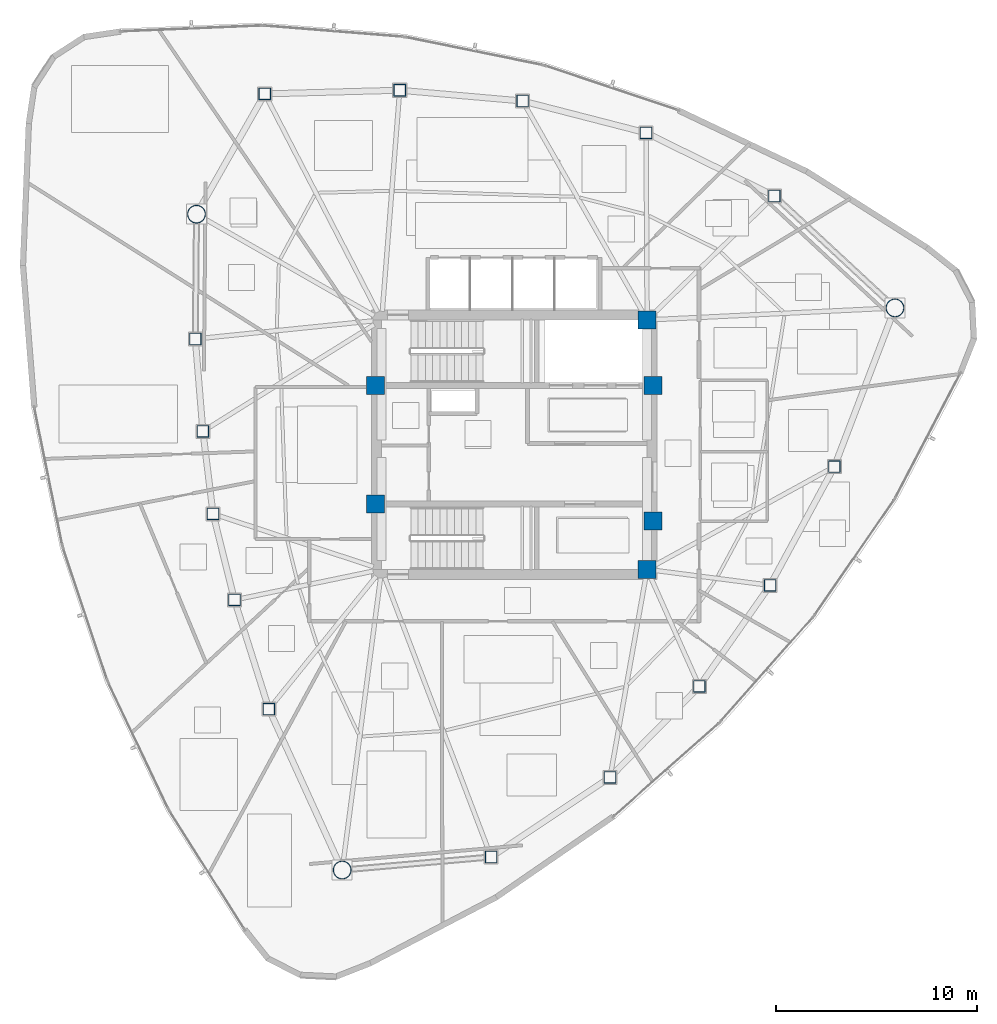
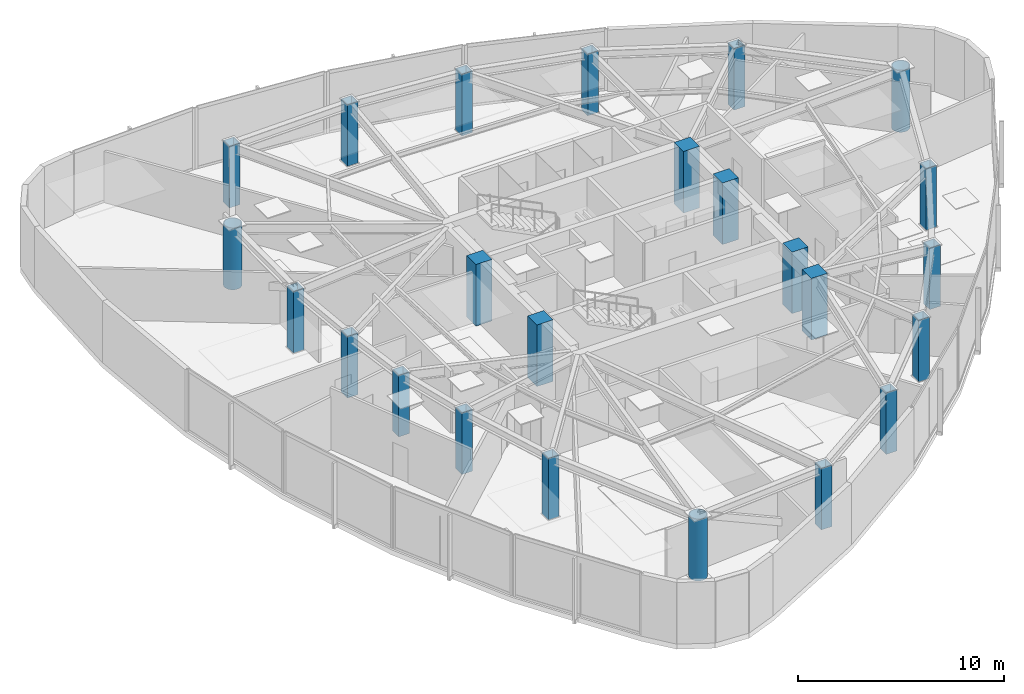
# One storey, part 1 of 15: 24 columns.
"""IFC4 building model written with IfcOpenShell, lengths in metres."""

from ifc_helpers import new_model, si_unit, direction, frame, origin, origin_2d, place, context, subcontext, project, spatial, rectangle, hollow_rectangle, hollow_circle, extrude, material, material_profile, profile_set, type_object, element, save


model = new_model("IFC4")

# Units and contexts
model_context = context("Model", 3, precision=1e-05, world=origin(), true_north=direction((0.0, 1.0)))
body_context = subcontext(model_context, "Body", "Model", "MODEL_VIEW")
ifc_project = project(units=[si_unit("LENGTHUNIT", "METRE"), si_unit("AREAUNIT", "SQUARE_METRE"), si_unit("VOLUMEUNIT", "CUBIC_METRE"), si_unit("PLANEANGLEUNIT", "RADIAN"), si_unit("MASSUNIT", "GRAM", prefix="KILO")], contexts=[model_context])

# Site, building, storey
site_placement = place(None, origin())
site = spatial("IfcSite", under=ifc_project, at=site_placement, CompositionType="ELEMENT")
building_placement = place(site_placement, origin())
building = spatial("IfcBuilding", under=site, at=building_placement, Name="Tavelor Broadcast Tower", CompositionType="ELEMENT")
storey_placement = place(building_placement, frame((0.0, 0.0, 230.050048828125)))
storey = spatial("IfcBuildingStorey", under=building, at=storey_placement, Name="L54", CompositionType="ELEMENT", Elevation=230.050048828125)

# Columns
ifc_material_1 = material(Name="Concrete C50/60", Category="concrete")
ifc_material_profile_1 = material_profile(ifc_material_1, rectangle(XDim=0.89990234375, YDim=0.89990234375, at=origin_2d()), Name="RC 900x900")
ifc_profile_set_1 = profile_set([ifc_material_profile_1], Name="Concrete C50/60")
column_type_1 = type_object("IfcColumnType", Name="Core Embedded Composite Column RC900", PredefinedType="COLUMN", material=ifc_profile_set_1)
for number, where, z_axis, x_axis, name in (
    (1, (43.10009765625, 47.949951171875, 0.0), (0.0, 0.0, 1.0), (1.0, 0.0, 0.0), "L54 Core Embedded Column 1"),
    (2, (56.89990234375, 47.949951171875, 0.0), (0.0, 0.0, 1.0), (1.0, 0.0, 0.0), "L54 Core Embedded Column 2"),
    (3, (56.60009765625, 51.199951171875, 0.0), (0.0, 0.0, 1.0), (1.0, 0.0, 0.0), "L54 Core Embedded Column 3"),
    (4, (43.10009765625, 42.050048828125, 0.0), (0.0, 0.0, 1.0), (1.0, 0.0, 0.0), "L54 Core Embedded Column 4"),
    (5, (56.89990234375, 41.199951171875, 0.0), (0.0, 0.0, 1.0), (1.0, 0.0, 0.0), "L54 Core Embedded Column 5"),
    (6, (56.60009765625, 38.800048828125, 0.0), (0.0, 0.0, 1.0), (1.0, 0.0, 0.0), "L54 Core Embedded Column 6"),
):
    element("IfcColumn", number, at=place(storey_placement, frame(where, z_axis=z_axis, x_axis=x_axis)), inside=storey, type_object=column_type_1, Name=name, PredefinedType="COLUMN", context=body_context, shape_type="SweptSolid", body=[
        extrude(rectangle(XDim=0.89990234375, YDim=0.89990234375, at=origin_2d()), origin(), (0.0, 0.0, 1.0), 3.64990234375),
    ])
ifc_material_2 = material(Name="Steel S460", Category="steel")
ifc_material_profile_2 = material_profile(ifc_material_2, hollow_rectangle(XDim=0.60009765625, YDim=0.60009765625, WallThickness=0.035888671875, at=origin_2d()), Name="SHS 600x600x36")
ifc_profile_set_2 = profile_set([ifc_material_profile_2], Name="Steel S460")
column_type_2 = type_object("IfcColumnType", Name="Perimeter Tube Column T5 SHS 600x600x36", PredefinedType="COLUMN", material=ifc_profile_set_2)
for number, where, z_axis, x_axis, name in (
    (7, (34.13720703125, 50.255859375, 0.0), (0.0, 0.0, 1.0), (1.0, 0.0, 0.0), "L54 Perimeter Framed-Tube Column 02"),
    (8, (34.513671875, 45.66455078125, 0.0), (0.0, 0.0, 1.0), (1.0, 0.0, 0.0), "L54 Perimeter Framed-Tube Column 03"),
    (9, (35.018798828125, 41.56396484375, 0.0), (0.0, 0.0, 1.0), (1.0, 0.0, 0.0), "L54 Perimeter Framed-Tube Column 04"),
    (10, (36.08349609375, 37.2822265625, 0.0), (0.0, 0.0, 1.0), (1.0, 0.0, 0.0), "L54 Perimeter Framed-Tube Column 05"),
    (11, (37.797119140625, 31.853271484375, 0.0), (0.0, 0.0, 1.0), (1.0, 0.0, 0.0), "L54 Perimeter Framed-Tube Column 06"),
    (12, (48.843994140625, 24.5048828125, 0.0), (0.0, 0.0, 1.0), (1.0, 0.0, 0.0), "L54 Perimeter Framed-Tube Column 08"),
    (13, (54.754150390625, 28.461669921875, 0.0), (0.0, 0.0, 1.0), (1.0, 0.0, 0.0), "L54 Perimeter Framed-Tube Column 09"),
    (14, (59.1923828125, 32.987060546875, 0.0), (0.0, 0.0, 1.0), (1.0, 0.0, 0.0), "L54 Perimeter Framed-Tube Column 10"),
    (15, (62.7109375, 38.009033203125, 0.0), (0.0, 0.0, 1.0), (1.0, 0.0, 0.0), "L54 Perimeter Framed-Tube Column 11"),
    (16, (65.9072265625, 43.909423828125, 0.0), (0.0, 0.0, 1.0), (1.0, 0.0, 0.0), "L54 Perimeter Framed-Tube Column 12"),
    (17, (62.92724609375, 57.364013671875, 0.0), (0.0, 0.0, 1.0), (1.0, 0.0, 0.0), "L54 Perimeter Framed-Tube Column 14"),
    (18, (56.545654296875, 60.504150390625, 0.0), (0.0, 0.0, 1.0), (1.0, 0.0, 0.0), "L54 Perimeter Framed-Tube Column 15"),
    (19, (50.4072265625, 62.0849609375, 0.0), (0.0, 0.0, 1.0), (1.0, 0.0, 0.0), "L54 Perimeter Framed-Tube Column 16"),
    (20, (44.298828125, 62.621337890625, 0.0), (0.0, 0.0, 1.0), (1.0, 0.0, 0.0), "L54 Perimeter Framed-Tube Column 17"),
    (21, (37.5908203125, 62.439208984375, 0.0), (0.0, 0.0, 1.0), (1.0, 0.0, 0.0), "L54 Perimeter Framed-Tube Column 18"),
):
    element("IfcColumn", number, at=place(storey_placement, frame(where, z_axis=z_axis, x_axis=x_axis)), inside=storey, type_object=column_type_2, Name=name, PredefinedType="COLUMN", context=body_context, shape_type="SweptSolid", body=[
        extrude(hollow_rectangle(XDim=0.60009765625, YDim=0.60009765625, WallThickness=0.035888671875, at=origin_2d()), origin(), (0.0, 0.0, 1.0), 3.64990234375),
    ])
ifc_material_profile_3 = material_profile(ifc_material_2, hollow_circle(Radius=0.45703125, WallThickness=0.0400390625, at=origin_2d()), Name="CHS 914x40")
ifc_profile_set_3 = profile_set([ifc_material_profile_3], Name="Steel S460")
column_type_3 = type_object("IfcColumnType", Name="Tower Mega Column T5 CHS 914x40", PredefinedType="COLUMN", material=ifc_profile_set_3)
for number, where, z_axis, x_axis, name in (
    (22, (34.1962890625, 56.4599609375, 0.0), (0.0, 0.0, 1.0), (1.0, 0.0, 0.0), "L54 Tower Corner Mega Column 01"),
    (23, (41.440185546875, 23.853759765625, 0.0), (0.0, 0.0, 1.0), (1.0, 0.0, 0.0), "L54 Tower Corner Mega Column 07"),
    (24, (68.919677734375, 51.799072265625, 0.0), (0.0, 0.0, 1.0), (1.0, 0.0, 0.0), "L54 Tower Corner Mega Column 13"),
):
    element("IfcColumn", number, at=place(storey_placement, frame(where, z_axis=z_axis, x_axis=x_axis)), inside=storey, type_object=column_type_3, Name=name, PredefinedType="COLUMN", context=body_context, shape_type="SweptSolid", body=[
        extrude(hollow_circle(Radius=0.45703125, WallThickness=0.0400390625, at=origin_2d()), origin(), (0.0, 0.0, 1.0), 3.64990234375),
    ])

save(model, "model.ifc")
